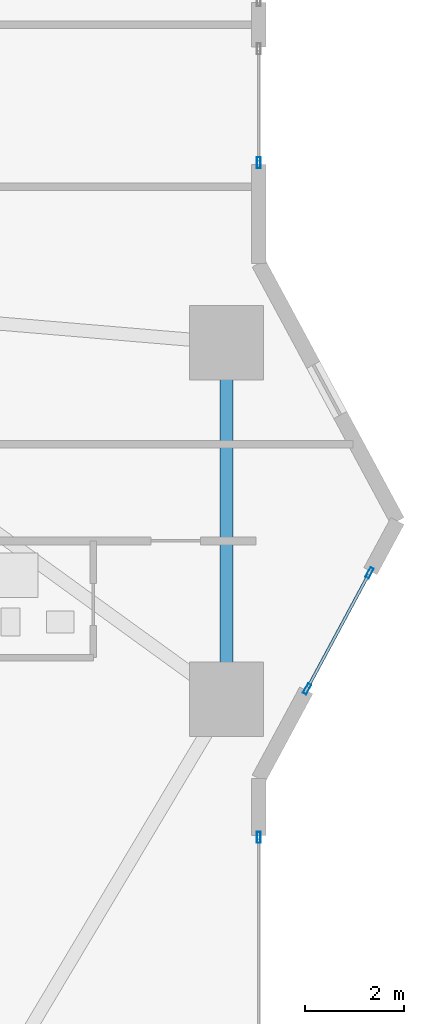
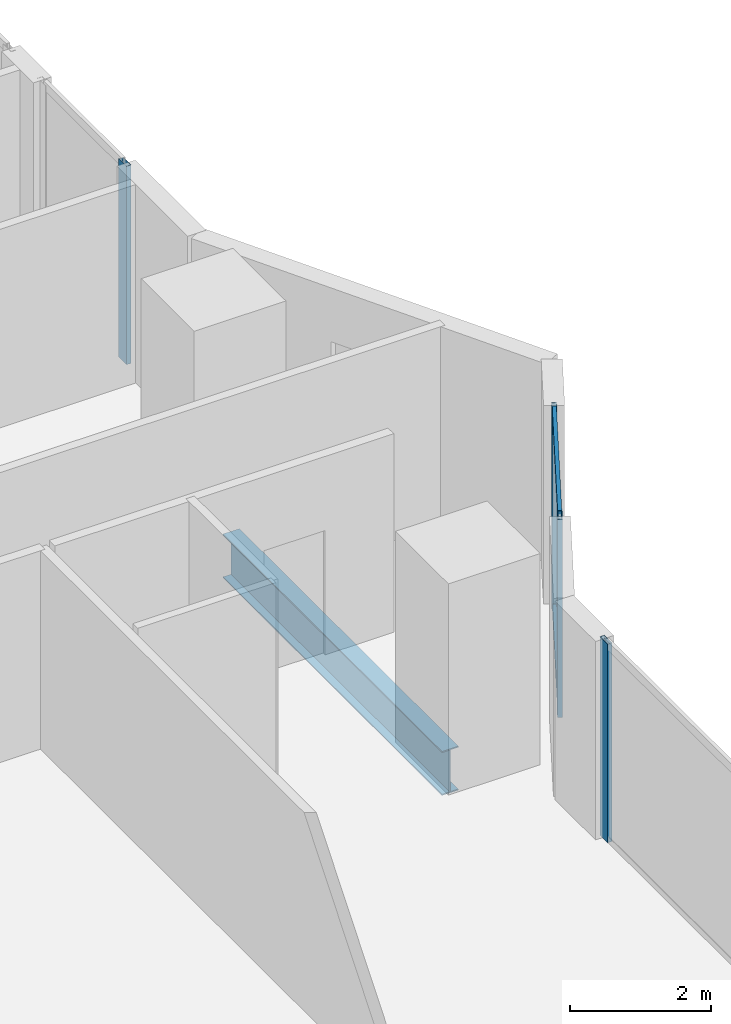
# One storey, part 12 of 28: 6 members, 1 beam, 3 elements without a shape of their own.
"""IFC4 building model written with IfcOpenShell, lengths in metres."""

from ifc_helpers import new_model, si_unit, direction, frame, origin, origin_2d, place, context, subcontext, project, spatial, hollow_rectangle, i_section, extrude, material, layer, layer_set, material_profile, profile_set, type_object, element, aggregate, save


model = new_model("IFC4")

# Units and contexts
model_context = context("Model", 3, precision=1e-05, world=origin(), true_north=direction((0.0, 1.0)))
body_context = subcontext(model_context, "Body", "Model", "MODEL_VIEW")
ifc_project = project(units=[si_unit("LENGTHUNIT", "METRE"), si_unit("AREAUNIT", "SQUARE_METRE"), si_unit("VOLUMEUNIT", "CUBIC_METRE"), si_unit("PLANEANGLEUNIT", "RADIAN"), si_unit("MASSUNIT", "GRAM", prefix="KILO")], contexts=[model_context])

# Site, building, storey
site_placement = place(None, origin())
site = spatial("IfcSite", under=ifc_project, at=site_placement, CompositionType="ELEMENT")
building_placement = place(site_placement, origin())
building = spatial("IfcBuilding", under=site, at=building_placement, Name="Zuhayl Quay Hotel", CompositionType="ELEMENT")
storey_placement = place(building_placement, frame((0.0, 0.0, 34.89990234375)))
storey = spatial("IfcBuildingStorey", under=building, at=storey_placement, Name="L07", CompositionType="ELEMENT", Elevation=34.89990234375)

# Beam
ifc_material_1 = material(Name="Steel ASTM A992 Grade 50", Category="steel")
ifc_material_profile_1 = material_profile(ifc_material_1, i_section(OverallWidth=0.26708984375, OverallDepth=0.761962890625, WebThickness=0.014404296875, FlangeThickness=0.021484375, at=origin_2d()), Name="W30X116")
ifc_profile_set_1 = profile_set([ifc_material_profile_1], Name="Steel ASTM A992 Grade 50")
beam_type = type_object("IfcBeamType", Name="BM_B1_W30X116", PredefinedType="BEAM", material=ifc_profile_set_1)
beam_placement = place(storey_placement, frame((25.050048828125, -3.10009765625, -0.600830078125), z_axis=(0.0, 1.0, 0.0), x_axis=(-1.0, 0.0, 0.0)))
element("IfcBeam", 1, at=beam_placement, inside=storey, type_object=beam_type, Name="L07 Floor Beam RG_L07_05", PredefinedType="BEAM", context=body_context, shape_type="SweptSolid", body=[
    extrude(i_section(OverallWidth=0.26708984375, OverallDepth=0.761962890625, WebThickness=0.014404296875, FlangeThickness=0.021484375, at=origin_2d()), origin(), (0.0, 0.0, 1.0), 6.2001953125),
])

# Curtain wall, member
ifc_material_2 = material(Name="Anodised Aluminium 6063-T6", Category="aluminium")
ifc_layer = layer(ifc_material_2, 0.18994140625, Name="Anodised Aluminium 6063-T6", Category="aluminium")
ifc_layer_set = layer_set([ifc_layer], Name="Anodised Aluminium 6063-T6")
curtain_wall_type = type_object("IfcCurtainWallType", Name="CW_SYS_Z1", PredefinedType="USERDEFINED", material=ifc_layer_set)
curtain_wall_1_placement = place(storey_placement, origin())
curtain_wall_1 = element("IfcCurtainWall", 2, at=curtain_wall_1_placement, inside=storey, type_object=curtain_wall_type, Name="L07 Curtain Wall ENV_L07_E11_CW2", ObjectType="UNITISED CURTAIN WALL", PredefinedType="USERDEFINED")
ifc_material_3 = material(Name="Black-anodised aluminium 6063-T6", Category="aluminium")
ifc_material_profile_2 = material_profile(ifc_material_3, hollow_rectangle(XDim=0.074951171875, YDim=0.219970703125, WallThickness=0.00390625, at=origin_2d()), Name="ALU220X75")
ifc_profile_set_2 = profile_set([ifc_material_profile_2], Name="Black-anodised aluminium 6063-T6")
member_type_1 = type_object("IfcMemberType", Name="MB_CW_MUL_220", PredefinedType="MULLION", material=ifc_profile_set_2)
member_1_placement = place(storey_placement, frame((25.699951171875, 7.237548828125, 0.0), z_axis=(0.0, 0.0, 1.0), x_axis=(1.0, 0.0, 0.0)))
member_1 = element("IfcMember", 3, at=member_1_placement, type_object=member_type_1, Name="CW-Z1 mullion 2", PredefinedType="MULLION", context=body_context, shape_type="SweptSolid", body=[
    extrude(hollow_rectangle(XDim=0.074951171875, YDim=0.219970703125, WallThickness=0.00390625, at=origin_2d()), origin(), (0.0, 0.0, 1.0), 3.43017578125),
])
aggregate(curtain_wall_1, [member_1])

# Curtain wall, members
curtain_wall_2_placement = place(storey_placement, origin())
curtain_wall_2 = element("IfcCurtainWall", 4, at=curtain_wall_2_placement, inside=storey, type_object=curtain_wall_type, Name="L07 Curtain Wall ENV_L07_E13_CW1", ObjectType="UNITISED CURTAIN WALL", PredefinedType="USERDEFINED")
member_2_placement = place(storey_placement, frame((27.93701171875, -1.04541015625, 0.0), z_axis=(0.0, 0.0, 1.0), x_axis=(0.880475795468, -0.474091102632, 0.0)))
member_2 = element("IfcMember", 5, at=member_2_placement, type_object=member_type_1, Name="CW-Z1 mullion 1", PredefinedType="MULLION", context=body_context, shape_type="SweptSolid", body=[
    extrude(hollow_rectangle(XDim=0.074951171875, YDim=0.219970703125, WallThickness=0.00390625, at=origin_2d()), origin(), (0.0, 0.0, 1.0), 3.43017578125),
])
member_3_placement = place(storey_placement, frame((26.67578125, -3.387939453125, 0.0), z_axis=(0.0, 0.0, 1.0), x_axis=(0.880475795468, -0.474091102632, 0.0)))
member_3 = element("IfcMember", 6, at=member_3_placement, type_object=member_type_1, Name="CW-Z1 mullion 2", PredefinedType="MULLION", context=body_context, shape_type="SweptSolid", body=[
    extrude(hollow_rectangle(XDim=0.074951171875, YDim=0.219970703125, WallThickness=0.00390625, at=origin_2d()), origin(), (0.0, 0.0, 1.0), 3.43017578125),
])

# Curtain wall, member
curtain_wall_3_placement = place(storey_placement, origin())
curtain_wall_3 = element("IfcCurtainWall", 7, at=curtain_wall_3_placement, inside=storey, type_object=curtain_wall_type, Name="L07 Curtain Wall ENV_L07_E14_CW1", ObjectType="UNITISED CURTAIN WALL", PredefinedType="USERDEFINED")
member_4_placement = place(storey_placement, frame((25.699951171875, -6.387451171875, 0.0), z_axis=(0.0, 0.0, 1.0), x_axis=(1.0, 0.0, 0.0)))
member_4 = element("IfcMember", 8, at=member_4_placement, type_object=member_type_1, Name="CW-Z1 mullion 1", PredefinedType="MULLION", context=body_context, shape_type="SweptSolid", body=[
    extrude(hollow_rectangle(XDim=0.074951171875, YDim=0.219970703125, WallThickness=0.00390625, at=origin_2d()), origin(), (0.0, 0.0, 1.0), 3.43017578125),
])
aggregate(curtain_wall_3, [member_4])

# Member
ifc_material_profile_3 = material_profile(ifc_material_3, hollow_rectangle(XDim=0.06005859375, YDim=0.14990234375, WallThickness=0.00341796875, at=origin_2d()), Name="ALU150X60")
ifc_profile_set_3 = profile_set([ifc_material_profile_3], Name="Black-anodised aluminium 6063-T6")
member_type_2 = type_object("IfcMemberType", Name="MB_CW_TRN_150", PredefinedType="USERDEFINED", material=ifc_profile_set_3)
member_5_placement = place(storey_placement, frame((27.919189453125, -1.07861328125, 0.030029296875), z_axis=(-0.474054771703, -0.880495356845, 0.0), x_axis=(0.880495356845, -0.474054771703, 0.0)))
member_5 = element("IfcMember", 9, at=member_5_placement, type_object=member_type_2, Name="CW-Z1 transom 1.1", ObjectType="TRANSOM", PredefinedType="USERDEFINED", context=body_context, shape_type="SweptSolid", body=[
    extrude(hollow_rectangle(XDim=0.06005859375, YDim=0.14990234375, WallThickness=0.00341796875, at=origin_2d()), origin(), (0.0, 0.0, 1.0), 2.585205078125),
])

member_6_placement = place(storey_placement, frame((27.919189453125, -1.07861328125, 3.400146484375), z_axis=(-0.474054771703, -0.880495356845, 0.0), x_axis=(0.880495356845, -0.474054771703, 0.0)))
member_6 = element("IfcMember", 10, at=member_6_placement, type_object=member_type_2, Name="CW-Z1 transom 1.2", ObjectType="TRANSOM", PredefinedType="USERDEFINED", context=body_context, shape_type="SweptSolid", body=[
    extrude(hollow_rectangle(XDim=0.06005859375, YDim=0.14990234375, WallThickness=0.00341796875, at=origin_2d()), origin(), (0.0, 0.0, 1.0), 2.585205078125),
])

aggregate(curtain_wall_2, [member_2, member_3, member_5, member_6])

save(model, "model.ifc")
